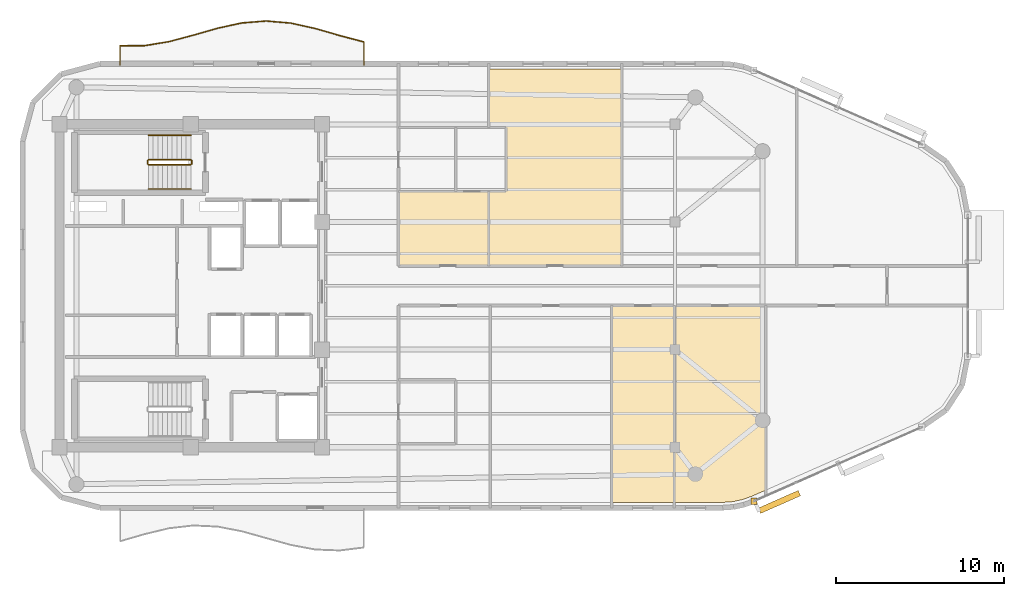
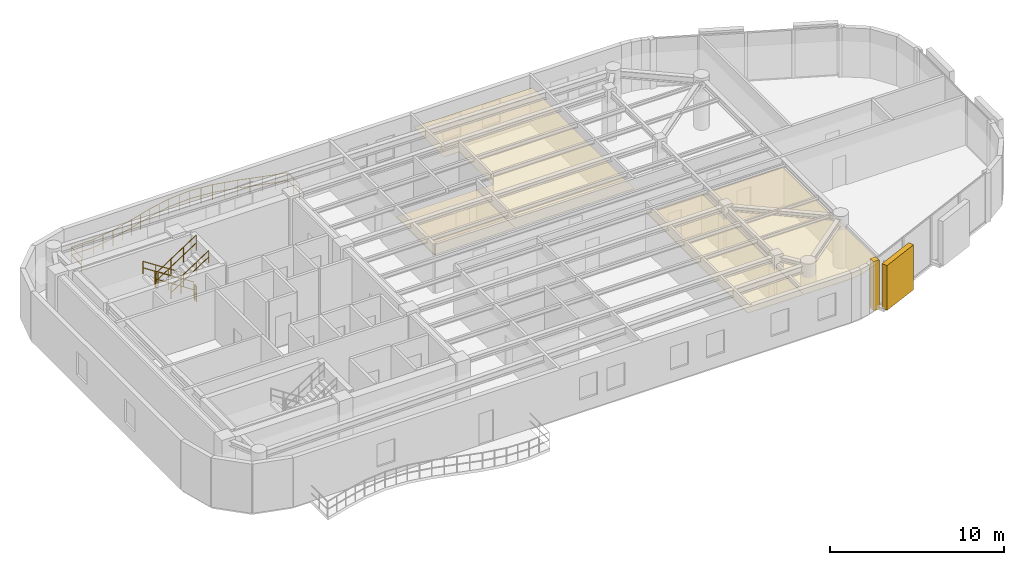
# One storey, part 13 of 14: 7 railings, 5 coverings, 1 shading device.
"""IFC4 building model written with IfcOpenShell, lengths in metres."""

from ifc_helpers import new_model, si_unit, direction, frame, origin, origin_2d, place, context, subcontext, project, spatial, polyline, rectangle, circle, outline, extrude, material, layer, layer_set, type_object, element, save


model = new_model("IFC4")

# Units and contexts
model_context = context("Model", 3, precision=1e-05, world=origin(), true_north=direction((0.0, 1.0)))
body_context = subcontext(model_context, "Body", "Model", "MODEL_VIEW")
ifc_project = project(units=[si_unit("LENGTHUNIT", "METRE"), si_unit("AREAUNIT", "SQUARE_METRE"), si_unit("VOLUMEUNIT", "CUBIC_METRE"), si_unit("PLANEANGLEUNIT", "RADIAN"), si_unit("MASSUNIT", "GRAM", prefix="KILO")], contexts=[model_context])

# Site, building, storey
site_placement = place(None, origin())
site = spatial("IfcSite", under=ifc_project, at=site_placement, CompositionType="ELEMENT")
building_placement = place(site_placement, origin())
building = spatial("IfcBuilding", under=site, at=building_placement, Name="An Khanh Terracotta Commons", CompositionType="ELEMENT")
storey_placement = place(building_placement, frame((0.0, 0.0, 280.699951171875)))
storey = spatial("IfcBuildingStorey", under=building, at=storey_placement, Name="L73", CompositionType="ELEMENT", Elevation=280.699951171875)

# Coverings
ifc_material_1 = material(Name="Perforated Mineral-Fibre Acoustic Tile")
ifc_layer_1 = layer(ifc_material_1, 0.02001953125, Name="Perforated Mineral-Fibre Acoustic Tile")
ifc_layer_set_1 = layer_set([ifc_layer_1], Name="Perforated Mineral-Fibre Acoustic Tile")
covering_type_1 = type_object("IfcCoveringType", Name="CEIL-ACOUSTIC-18", PredefinedType="CEILING", material=ifc_layer_set_1)
covering_1_placement = place(storey_placement, frame((0.0, 0.0, 2.650146484375)))
element("IfcCovering", 1, at=covering_1_placement, inside=storey, type_object=covering_type_1, Name="L73 Observatory Study Hall Ceiling", PredefinedType="CEILING", context=body_context, shape_type="SweptSolid", body=[
    extrude(outline(polyline([(41.75, 25.179931640625), (41.75, 29.60009765625), (45.14990234375, 29.60009765625), (47.117919921875, 29.60009765625), (47.117919921875, 25.179931640625), (41.75, 25.179931640625)])), origin(), (0.0, 0.0, 1.0), 0.02001953125),
])
covering_2_placement = place(storey_placement, frame((0.0, 0.0, 2.650146484375)))
element("IfcCovering", 2, at=covering_2_placement, inside=storey, type_object=covering_type_1, Name="L73 Riverfront Reading Hall Ceiling", PredefinedType="CEILING", context=body_context, shape_type="SweptSolid", body=[
    extrude(outline(polyline([(55.011962890625, 36.8798828125), (55.011962890625, 25.179931640625), (47.117919921875, 25.179931640625), (47.117919921875, 29.60009765625), (48.14990234375, 29.60009765625), (48.14990234375, 33.39990234375), (47.117919921875, 33.39990234375), (47.117919921875, 36.8798828125), (55.011962890625, 36.8798828125)])), origin(), (0.0, 0.0, 1.0), 0.02001953125),
])
covering_3_placement = place(storey_placement, frame((0.0, 0.0, 2.650146484375)))
element("IfcCovering", 3, at=covering_3_placement, inside=storey, type_object=covering_type_1, Name="L73 Collaborative Study Lounge Ceiling", PredefinedType="CEILING", context=body_context, shape_type="SweptSolid", body=[
    extrude(outline(polyline([(54.41796875, 11.1201171875), (54.41796875, 22.820068359375), (58.132080078125, 22.820068359375), (58.132080078125, 11.1201171875), (54.41796875, 11.1201171875)])), origin(), (0.0, 0.0, 1.0), 0.02001953125),
])
covering_4_placement = place(storey_placement, frame((0.0, 0.0, 2.650146484375)))
element("IfcCovering", 4, at=covering_4_placement, inside=storey, type_object=covering_type_1, Name="L73 Collaborative Study Lounge Ceiling", PredefinedType="CEILING", context=body_context, shape_type="SweptSolid", body=[
    extrude(outline(polyline([(62.76806640625, 11.488037109375), (62.199951171875, 11.283935546875), (61.62109375, 11.162109375), (61.01904296875, 11.1201171875), (58.132080078125, 11.1201171875), (58.132080078125, 22.820068359375), (63.592041015625, 22.820068359375), (63.592041015625, 11.85205078125), (62.76806640625, 11.488037109375)])), origin(), (0.0, 0.0, 1.0), 0.02001953125),
])
ifc_material_2 = material(Name="Fired Terracotta Rainscreen Cladding", Category="masonry")
ifc_layer_2 = layer(ifc_material_2, 0.080078125, Name="Fired Terracotta Rainscreen Cladding")
ifc_layer_set_2 = layer_set([ifc_layer_2], Name="Fired Terracotta Rainscreen Cladding")
covering_type_2 = type_object("IfcCoveringType", Name="COV-JAMB-TERRA", PredefinedType="CLADDING", material=ifc_layer_set_2)
covering_5_placement = place(storey_placement, frame((62.886962890625, 11.19091796875, 0.0), z_axis=(0.0, 0.0, 1.0), x_axis=(1.0, 0.0, 0.0)))
element("IfcCovering", 5, at=covering_5_placement, inside=storey, type_object=covering_type_2, Name="L73 CW-03 Curtain-Wall Jamb Closure JA", PredefinedType="CLADDING", context=body_context, shape_type="SweptSolid", body=[
    extrude(rectangle(XDim=0.3798828125, YDim=0.3798828125, at=origin_2d()), origin(), (0.0, 0.0, 1.0), 3.449951171875),
])

# Railings
ifc_material_3 = material(Name="Brushed Stainless Steel 316", Category="steel")
railing_type_1 = type_object("IfcRailingType", Name="RAIL-BALUSTRADE-1100", PredefinedType="BALUSTRADE", material=ifc_material_3)
railing_1_placement = place(storey_placement, frame((39.699951171875, 37.139892578125, 0.0)))
element("IfcRailing", 6, at=railing_1_placement, inside=storey, type_object=railing_type_1, Name="L73 N Wave Balcony Guard Balustrade", PredefinedType="BALUSTRADE", context=body_context, shape_type="SweptSolid", body=[
    extrude(circle(Radius=0.02392578125, at=origin_2d()), frame((0.0, 0.0, 1.076171875), z_axis=(0.0, 1.0, 0.0), x_axis=(-1.0, 0.0, 0.0)), (0.0, 0.0, 1.0), 1.355224609375),
    extrude(circle(Radius=0.02392578125, at=origin_2d()), frame((0.0, 0.0, 0.52587890625), z_axis=(0.0, 1.0, 0.0), x_axis=(-1.0, 0.0, 0.0)), (0.0, 0.0, 1.0), 1.355224609375),
    extrude(circle(Radius=0.02392578125, at=origin_2d()), frame((0.0, 1.355224609375, 1.076171875), z_axis=(-0.96686967037, 0.255270524186, 0.0), x_axis=(-0.255270524186, -0.96686967037, 0.0)), (0.0, 0.0, 1.0), 1.499755859375),
    extrude(circle(Radius=0.02392578125, at=origin_2d()), frame((0.0, 1.355224609375, 0.52587890625), z_axis=(-0.96686967037, 0.255270524186, 0.0), x_axis=(-0.255270524186, -0.96686967037, 0.0)), (0.0, 0.0, 1.0), 1.499755859375),
    extrude(circle(Radius=0.02392578125, at=origin_2d()), frame((-1.449951171875, 1.738037109375, 1.076171875), z_axis=(-0.961046203514, 0.276387761509, 0.0), x_axis=(-0.276387761509, -0.961046203514, 0.0)), (0.0, 0.0, 1.0), 1.5087890625),
    extrude(circle(Radius=0.02392578125, at=origin_2d()), frame((-1.449951171875, 1.738037109375, 0.52587890625), z_axis=(-0.961046203514, 0.276387761509, 0.0), x_axis=(-0.276387761509, -0.961046203514, 0.0)), (0.0, 0.0, 1.0), 1.5087890625),
    extrude(circle(Radius=0.02392578125, at=origin_2d()), frame((-2.89990234375, 2.155029296875, 1.076171875), z_axis=(-0.976353104199, 0.216181904701, 0.0), x_axis=(-0.216181904701, -0.976353104199, 0.0)), (0.0, 0.0, 1.0), 1.485107421875),
    extrude(circle(Radius=0.02392578125, at=origin_2d()), frame((-2.89990234375, 2.155029296875, 0.52587890625), z_axis=(-0.976353104199, 0.216181904701, 0.0), x_axis=(-0.216181904701, -0.976353104199, 0.0)), (0.0, 0.0, 1.0), 1.485107421875),
    extrude(circle(Radius=0.02392578125, at=origin_2d()), frame((-4.349853515625, 2.47607421875, 1.076171875), z_axis=(-0.996362942492, 0.085210837506, 0.0), x_axis=(-0.085210837506, -0.996362942492, 0.0)), (0.0, 0.0, 1.0), 1.45556640625),
    extrude(circle(Radius=0.02392578125, at=origin_2d()), frame((-4.349853515625, 2.47607421875, 0.52587890625), z_axis=(-0.996362942492, 0.085210837506, 0.0), x_axis=(-0.085210837506, -0.996362942492, 0.0)), (0.0, 0.0, 1.0), 1.45556640625),
    extrude(circle(Radius=0.02392578125, at=origin_2d()), frame((-5.800048828125, 2.60009765625, 1.076171875), z_axis=(-0.996974959363, -0.077723422493, 0.0), x_axis=(0.077723422493, -0.996974959363, 0.0)), (0.0, 0.0, 1.0), 1.454345703125),
    extrude(circle(Radius=0.02392578125, at=origin_2d()), frame((-5.800048828125, 2.60009765625, 0.52587890625), z_axis=(-0.996974959363, -0.077723422493, 0.0), x_axis=(0.077723422493, -0.996974959363, 0.0)), (0.0, 0.0, 1.0), 1.454345703125),
    extrude(circle(Radius=0.02392578125, at=origin_2d()), frame((-7.25, 2.487060546875, 1.076171875), z_axis=(-0.977349810179, -0.211630216516, 0.0), x_axis=(0.211630216516, -0.977349810179, 0.0)), (0.0, 0.0, 1.0), 1.483642578125),
    extrude(circle(Radius=0.02392578125, at=origin_2d()), frame((-7.25, 2.487060546875, 0.52587890625), z_axis=(-0.977349810179, -0.211630216516, 0.0), x_axis=(0.211630216516, -0.977349810179, 0.0)), (0.0, 0.0, 1.0), 1.483642578125),
    extrude(circle(Radius=0.02392578125, at=origin_2d()), frame((-8.699951171875, 2.173095703125, 1.076171875), z_axis=(-0.961217979162, -0.275789768731, 0.0), x_axis=(0.275789768731, -0.961217979162, 0.0)), (0.0, 0.0, 1.0), 1.508544921875),
    extrude(circle(Radius=0.02392578125, at=origin_2d()), frame((-8.699951171875, 2.173095703125, 0.52587890625), z_axis=(-0.961217979162, -0.275789768731, 0.0), x_axis=(0.275789768731, -0.961217979162, 0.0)), (0.0, 0.0, 1.0), 1.508544921875),
    extrude(circle(Radius=0.02392578125, at=origin_2d()), frame((-10.14990234375, 1.757080078125, 1.076171875), z_axis=(-0.966183617433, -0.257855031761, 0.0), x_axis=(0.257855031761, -0.966183617433, 0.0)), (0.0, 0.0, 1.0), 1.500732421875),
    extrude(circle(Radius=0.02392578125, at=origin_2d()), frame((-10.14990234375, 1.757080078125, 0.52587890625), z_axis=(-0.966183617433, -0.257855031761, 0.0), x_axis=(0.257855031761, -0.966183617433, 0.0)), (0.0, 0.0, 1.0), 1.500732421875),
    extrude(circle(Radius=0.02392578125, at=origin_2d()), frame((-11.599853515625, 1.3701171875, 1.076171875), z_axis=(-0.987111863968, -0.160031771886, 0.0), x_axis=(0.160031771886, -0.987111863968, 0.0)), (0.0, 0.0, 1.0), 1.46923828125),
    extrude(circle(Radius=0.02392578125, at=origin_2d()), frame((-11.599853515625, 1.3701171875, 0.52587890625), z_axis=(-0.987111863968, -0.160031771886, 0.0), x_axis=(0.160031771886, -0.987111863968, 0.0)), (0.0, 0.0, 1.0), 1.46923828125),
    extrude(circle(Radius=0.02392578125, at=origin_2d()), frame((-13.050048828125, 1.135009765625, 1.076171875), z_axis=(-0.999981628848, -0.006061515177, 0.0), x_axis=(0.006061515177, -0.999981628848, 0.0)), (0.0, 0.0, 1.0), 1.449951171875),
    extrude(circle(Radius=0.02392578125, at=origin_2d()), frame((-13.050048828125, 1.135009765625, 0.52587890625), z_axis=(-0.999981628848, -0.006061515177, 0.0), x_axis=(0.006061515177, -0.999981628848, 0.0)), (0.0, 0.0, 1.0), 1.449951171875),
    extrude(circle(Radius=0.02392578125, at=origin_2d()), frame((-14.5, 1.126220703125, 1.076171875), z_axis=(0.0, -1.0, 0.0), x_axis=(1.0, 0.0, 0.0)), (0.0, 0.0, 1.0), 1.126220703125),
    extrude(circle(Radius=0.02392578125, at=origin_2d()), frame((-14.5, 1.126220703125, 0.52587890625), z_axis=(0.0, -1.0, 0.0), x_axis=(1.0, 0.0, 0.0)), (0.0, 0.0, 1.0), 1.126220703125),
    extrude(circle(Radius=0.02099609375, at=origin_2d()), origin(), (0.0, 0.0, 1.0), 1.052001953125),
    extrude(circle(Radius=0.02099609375, at=origin_2d()), frame((0.0, 0.677734375, 0.0)), (0.0, 0.0, 1.0), 1.052001953125),
    extrude(circle(Radius=0.02099609375, at=origin_2d()), frame((0.0, 1.355224609375, 0.0)), (0.0, 0.0, 1.0), 1.052001953125),
    extrude(circle(Radius=0.02099609375, at=origin_2d()), frame((-0.72509765625, 1.546630859375, 0.0)), (0.0, 0.0, 1.0), 1.052001953125),
    extrude(circle(Radius=0.02099609375, at=origin_2d()), frame((-1.449951171875, 1.738037109375, 0.0)), (0.0, 0.0, 1.0), 1.052001953125),
    extrude(circle(Radius=0.02099609375, at=origin_2d()), frame((-2.1748046875, 1.946533203125, 0.0)), (0.0, 0.0, 1.0), 1.052001953125),
    extrude(circle(Radius=0.02099609375, at=origin_2d()), frame((-2.89990234375, 2.155029296875, 0.0)), (0.0, 0.0, 1.0), 1.052001953125),
    extrude(circle(Radius=0.02099609375, at=origin_2d()), frame((-3.625, 2.3154296875, 0.0)), (0.0, 0.0, 1.0), 1.052001953125),
    extrude(circle(Radius=0.02099609375, at=origin_2d()), frame((-4.349853515625, 2.47607421875, 0.0)), (0.0, 0.0, 1.0), 1.052001953125),
    extrude(circle(Radius=0.02099609375, at=origin_2d()), frame((-5.074951171875, 2.5380859375, 0.0)), (0.0, 0.0, 1.0), 1.052001953125),
    extrude(circle(Radius=0.02099609375, at=origin_2d()), frame((-5.800048828125, 2.60009765625, 0.0)), (0.0, 0.0, 1.0), 1.052001953125),
    extrude(circle(Radius=0.02099609375, at=origin_2d()), frame((-6.52490234375, 2.54345703125, 0.0)), (0.0, 0.0, 1.0), 1.052001953125),
    extrude(circle(Radius=0.02099609375, at=origin_2d()), frame((-7.25, 2.487060546875, 0.0)), (0.0, 0.0, 1.0), 1.052001953125),
    extrude(circle(Radius=0.02099609375, at=origin_2d()), frame((-7.97509765625, 2.330078125, 0.0)), (0.0, 0.0, 1.0), 1.052001953125),
    extrude(circle(Radius=0.02099609375, at=origin_2d()), frame((-8.699951171875, 2.173095703125, 0.0)), (0.0, 0.0, 1.0), 1.052001953125),
    extrude(circle(Radius=0.02099609375, at=origin_2d()), frame((-9.4248046875, 1.965087890625, 0.0)), (0.0, 0.0, 1.0), 1.052001953125),
    extrude(circle(Radius=0.02099609375, at=origin_2d()), frame((-10.14990234375, 1.757080078125, 0.0)), (0.0, 0.0, 1.0), 1.052001953125),
    extrude(circle(Radius=0.02099609375, at=origin_2d()), frame((-10.875, 1.5634765625, 0.0)), (0.0, 0.0, 1.0), 1.052001953125),
    extrude(circle(Radius=0.02099609375, at=origin_2d()), frame((-11.599853515625, 1.3701171875, 0.0)), (0.0, 0.0, 1.0), 1.052001953125),
    extrude(circle(Radius=0.02099609375, at=origin_2d()), frame((-12.324951171875, 1.25244140625, 0.0)), (0.0, 0.0, 1.0), 1.052001953125),
    extrude(circle(Radius=0.02099609375, at=origin_2d()), frame((-13.050048828125, 1.135009765625, 0.0)), (0.0, 0.0, 1.0), 1.052001953125),
    extrude(circle(Radius=0.02099609375, at=origin_2d()), frame((-13.77490234375, 1.130615234375, 0.0)), (0.0, 0.0, 1.0), 1.052001953125),
    extrude(circle(Radius=0.02099609375, at=origin_2d()), frame((-14.5, 1.126220703125, 0.0)), (0.0, 0.0, 1.0), 1.052001953125),
    extrude(circle(Radius=0.02099609375, at=origin_2d()), frame((-14.5, 0.0, 0.0)), (0.0, 0.0, 1.0), 1.052001953125),
])
railing_type_2 = type_object("IfcRailingType", Name="RAIL-HANDRAIL-900", PredefinedType="HANDRAIL", material=ifc_material_3)
railing_2_placement = place(storey_placement, frame((29.409912109375, 32.949951171875, 0.1826171875)))
element("IfcRailing", 7, at=railing_2_placement, inside=storey, type_object=railing_type_2, Name="L73 ST-01 stair handrail 1", PredefinedType="HANDRAIL", context=body_context, shape_type="SweptSolid", body=[
    extrude(circle(Radius=0.02392578125, at=origin_2d()), frame((0.0, 0.0, 0.8759765625), z_axis=(-0.837786554691, 0.0, 0.545997883492), x_axis=(0.0, -1.0, 0.0)), (0.0, 0.0, 1.0), 3.008056640625),
    extrude(circle(Radius=0.02392578125, at=origin_2d()), frame((0.0, 0.0, 0.42578125), z_axis=(-0.837786554691, 0.0, 0.545997883492), x_axis=(0.0, -1.0, 0.0)), (0.0, 0.0, 1.0), 3.008056640625),
    extrude(circle(Radius=0.02099609375, at=origin_2d()), origin(), (0.0, 0.0, 1.0), 0.851806640625),
    extrude(circle(Radius=0.02099609375, at=origin_2d()), frame((-0.840087890625, 0.0, 0.54736328125)), (0.0, 0.0, 1.0), 0.851806640625),
    extrude(circle(Radius=0.02099609375, at=origin_2d()), frame((-1.679931640625, 0.0, 1.094970703125)), (0.0, 0.0, 1.0), 0.851806640625),
    extrude(circle(Radius=0.02099609375, at=origin_2d()), frame((-2.52001953125, 0.0, 1.642333984375)), (0.0, 0.0, 1.0), 0.851806640625),
])
railing_3_placement = place(storey_placement, frame((26.889892578125, 29.75, 2.007568359375)))
element("IfcRailing", 8, at=railing_3_placement, inside=storey, type_object=railing_type_2, Name="L73 ST-01 stair handrail 2", PredefinedType="HANDRAIL", context=body_context, shape_type="SweptSolid", body=[
    extrude(circle(Radius=0.02392578125, at=origin_2d()), frame((0.0, 0.0, 0.8759765625), z_axis=(0.837749427056, 0.0, 0.546054848405), x_axis=(0.0, 1.0, 0.0)), (0.0, 0.0, 1.0), 3.008056640625),
    extrude(circle(Radius=0.02392578125, at=origin_2d()), frame((0.0, 0.0, 0.42578125), z_axis=(0.837749427056, 0.0, 0.546054848405), x_axis=(0.0, 1.0, 0.0)), (0.0, 0.0, 1.0), 3.008056640625),
    extrude(circle(Radius=0.02099609375, at=origin_2d()), origin(), (0.0, 0.0, 1.0), 0.851806640625),
    extrude(circle(Radius=0.02099609375, at=origin_2d()), frame((0.840087890625, 0.0, 0.547607421875)), (0.0, 0.0, 1.0), 0.851806640625),
    extrude(circle(Radius=0.02099609375, at=origin_2d()), frame((1.679931640625, 0.0, 1.094970703125)), (0.0, 0.0, 1.0), 0.851806640625),
    extrude(circle(Radius=0.02099609375, at=origin_2d()), frame((2.52001953125, 0.0, 1.642578125)), (0.0, 0.0, 1.0), 0.851806640625),
])
ifc_material_4 = material(Name="Powder-Coated Steel S355J2", Category="steel")
railing_type_3 = type_object("IfcRailingType", Name="RAIL-STAIR-GUARD-1100", PredefinedType="BALUSTRADE", material=ifc_material_4)
railing_4_placement = place(storey_placement, frame((29.409912109375, 31.5, 0.1826171875)))
element("IfcRailing", 9, at=railing_4_placement, inside=storey, type_object=railing_type_3, Name="L73 ST-01 stair guard 1", PredefinedType="BALUSTRADE", context=body_context, shape_type="SweptSolid", body=[
    extrude(circle(Radius=0.02392578125, at=origin_2d()), frame((0.0, 0.0, 1.076171875), z_axis=(-0.837786554691, 0.0, 0.545997883492), x_axis=(0.0, -1.0, 0.0)), (0.0, 0.0, 1.0), 3.008056640625),
    extrude(circle(Radius=0.02392578125, at=origin_2d()), frame((0.0, 0.0, 0.52587890625), z_axis=(-0.837786554691, 0.0, 0.545997883492), x_axis=(0.0, -1.0, 0.0)), (0.0, 0.0, 1.0), 3.008056640625),
    extrude(circle(Radius=0.02099609375, at=origin_2d()), origin(), (0.0, 0.0, 1.0), 1.052001953125),
    extrude(circle(Radius=0.02099609375, at=origin_2d()), frame((-0.840087890625, 0.0, 0.54736328125)), (0.0, 0.0, 1.0), 1.052001953125),
    extrude(circle(Radius=0.02099609375, at=origin_2d()), frame((-1.679931640625, 0.0, 1.094970703125)), (0.0, 0.0, 1.0), 1.052001953125),
    extrude(circle(Radius=0.02099609375, at=origin_2d()), frame((-2.52001953125, 0.0, 1.642333984375)), (0.0, 0.0, 1.0), 1.052001953125),
])
railing_5_placement = place(storey_placement, frame((26.840087890625, 31.449951171875, 1.824951171875)))
element("IfcRailing", 10, at=railing_5_placement, inside=storey, type_object=railing_type_3, Name="L73 ST-01 stair guard 2", PredefinedType="BALUSTRADE", context=body_context, shape_type="SweptSolid", body=[
    extrude(circle(Radius=0.02392578125, at=origin_2d()), frame((0.0, 0.0, 1.076171875), z_axis=(0.0, -1.0, 0.0), x_axis=(1.0, 0.0, 0.0)), (0.0, 0.0, 1.0), 0.199951171875),
    extrude(circle(Radius=0.02392578125, at=origin_2d()), frame((0.0, 0.0, 0.52587890625), z_axis=(0.0, -1.0, 0.0), x_axis=(1.0, 0.0, 0.0)), (0.0, 0.0, 1.0), 0.199951171875),
    extrude(circle(Radius=0.02099609375, at=origin_2d()), origin(), (0.0, 0.0, 1.0), 1.052001953125),
    extrude(circle(Radius=0.02099609375, at=origin_2d()), frame((0.0, -0.199951171875, 0.0)), (0.0, 0.0, 1.0), 1.052001953125),
])
railing_6_placement = place(storey_placement, frame((26.889892578125, 31.199951171875, 2.007568359375)))
element("IfcRailing", 11, at=railing_6_placement, inside=storey, type_object=railing_type_3, Name="L73 ST-01 stair guard 3", PredefinedType="BALUSTRADE", context=body_context, shape_type="SweptSolid", body=[
    extrude(circle(Radius=0.02392578125, at=origin_2d()), frame((0.0, 0.0, 1.076171875), z_axis=(0.837749427056, 0.0, 0.546054848405), x_axis=(0.0, 1.0, 0.0)), (0.0, 0.0, 1.0), 3.008056640625),
    extrude(circle(Radius=0.02392578125, at=origin_2d()), frame((0.0, 0.0, 0.52587890625), z_axis=(0.837749427056, 0.0, 0.546054848405), x_axis=(0.0, 1.0, 0.0)), (0.0, 0.0, 1.0), 3.008056640625),
    extrude(circle(Radius=0.02099609375, at=origin_2d()), origin(), (0.0, 0.0, 1.0), 1.052001953125),
    extrude(circle(Radius=0.02099609375, at=origin_2d()), frame((0.840087890625, 0.0, 0.547607421875)), (0.0, 0.0, 1.0), 1.052001953125),
    extrude(circle(Radius=0.02099609375, at=origin_2d()), frame((1.679931640625, 0.0, 1.094970703125)), (0.0, 0.0, 1.0), 1.052001953125),
    extrude(circle(Radius=0.02099609375, at=origin_2d()), frame((2.52001953125, 0.0, 1.642578125)), (0.0, 0.0, 1.0), 1.052001953125),
])
railing_7_placement = place(storey_placement, frame((29.4599609375, 31.449951171875, 0.0)))
element("IfcRailing", 12, at=railing_7_placement, inside=storey, type_object=railing_type_3, Name="L73 ST-01 stair guard 4", PredefinedType="BALUSTRADE", context=body_context, shape_type="SweptSolid", body=[
    extrude(circle(Radius=0.02392578125, at=origin_2d()), frame((0.0, 0.0, 1.076171875), z_axis=(0.0, -1.0, 0.0), x_axis=(1.0, 0.0, 0.0)), (0.0, 0.0, 1.0), 0.199951171875),
    extrude(circle(Radius=0.02392578125, at=origin_2d()), frame((0.0, 0.0, 0.52587890625), z_axis=(0.0, -1.0, 0.0), x_axis=(1.0, 0.0, 0.0)), (0.0, 0.0, 1.0), 0.199951171875),
    extrude(circle(Radius=0.02099609375, at=origin_2d()), origin(), (0.0, 0.0, 1.0), 1.052001953125),
    extrude(circle(Radius=0.02099609375, at=origin_2d()), frame((0.0, -0.199951171875, 0.0)), (0.0, 0.0, 1.0), 1.052001953125),
])

# Shading device
ifc_material_5 = material(Name="Extruded Fired Terracotta", Category="masonry")
shading_device_type = type_object("IfcShadingDeviceType", Name="Terracotta Baguette Screen Assembly", PredefinedType="USERDEFINED", material=ifc_material_5)
shading_device_placement = place(storey_placement, frame((64.39599609375, 11.14599609375, 0.150146484375), z_axis=(0.0, 0.0, 1.0), x_axis=(0.914901853201, 0.403676354285, 0.0)))
element("IfcShadingDevice", 13, at=shading_device_placement, inside=storey, type_object=shading_device_type, Name="L73 Terracotta Baguette Screen 1", ObjectType="BAGUETTE", PredefinedType="USERDEFINED", context=body_context, shape_type="SweptSolid", body=[
    extrude(rectangle(XDim=2.60400390625, YDim=0.35009765625, at=origin_2d()), origin(), (0.0, 0.0, 1.0), 3.14990234375),
])

save(model, "model.ifc")
